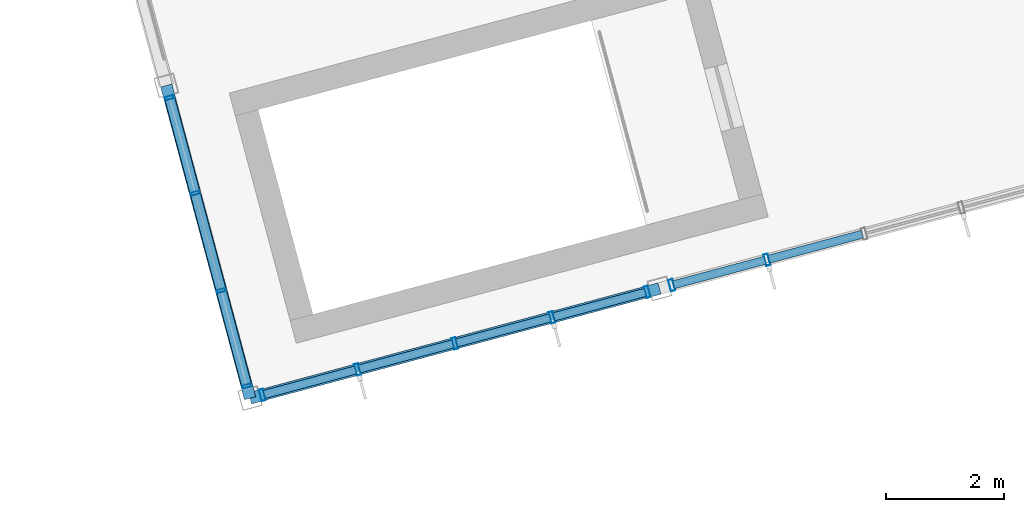
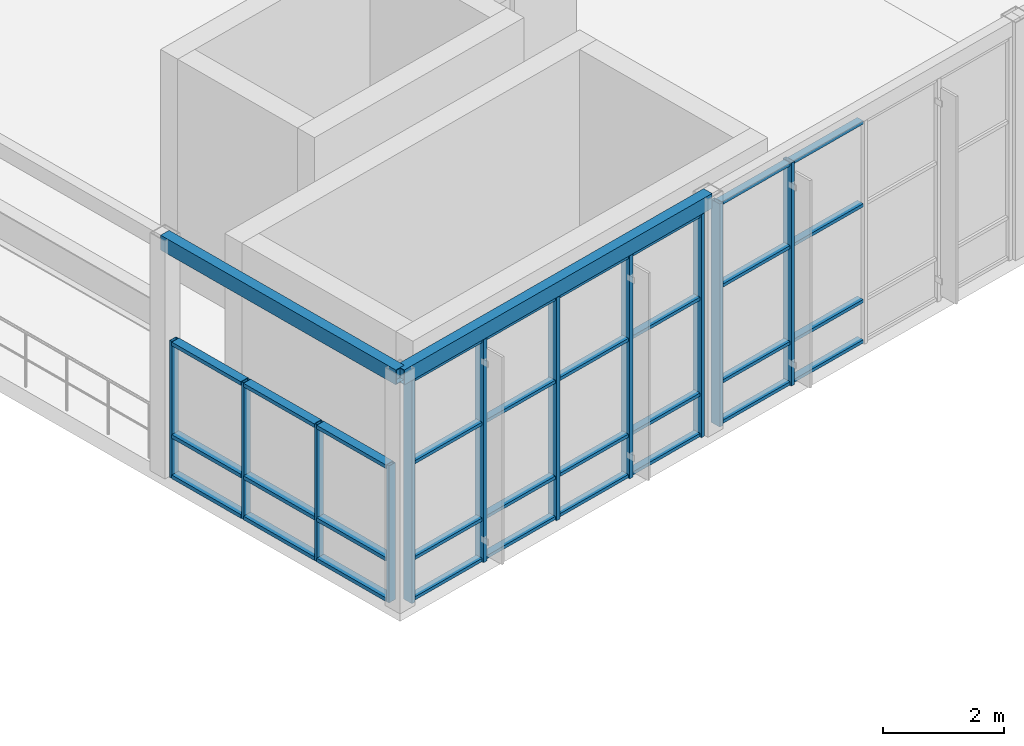
# One storey, part 18 of 99: 44 members, 2 beams, 3 elements without a shape of their own.
"""IFC4 building model written with IfcOpenShell, lengths in metres."""

from ifc_helpers import new_model, si_unit, direction, frame, origin, origin_2d, place, context, subcontext, project, spatial, hollow_rectangle, extrude, material, layer, layer_set, material_profile, profile_set, type_object, element, aggregate, save


model = new_model("IFC4")

# Units and contexts
model_context = context("Model", 3, precision=1e-05, world=origin(), true_north=direction((0.0, 1.0)))
body_context = subcontext(model_context, "Body", "Model", "MODEL_VIEW")
ifc_project = project(units=[si_unit("LENGTHUNIT", "METRE"), si_unit("AREAUNIT", "SQUARE_METRE"), si_unit("VOLUMEUNIT", "CUBIC_METRE"), si_unit("PLANEANGLEUNIT", "RADIAN"), si_unit("MASSUNIT", "GRAM", prefix="KILO")], contexts=[model_context])

# Site, building, storey
site_placement = place(None, origin())
site = spatial("IfcSite", under=ifc_project, at=site_placement, CompositionType="ELEMENT")
building_placement = place(site_placement, origin())
building = spatial("IfcBuilding", under=site, at=building_placement, Name="Ventoquebrada Cableway Terminal", CompositionType="ELEMENT")
storey_placement = place(building_placement, frame((0.0, 0.0, 9.60009765625)))
storey = spatial("IfcBuildingStorey", under=building, at=storey_placement, Name="L02", CompositionType="ELEMENT", Elevation=9.60009765625)

# Curtain wall, members
ifc_material_1 = material(Name="Anodized thermally-broken aluminium", Category="aluminium")
ifc_layer_1 = layer(ifc_material_1, 0.159912109375)
ifc_layer_set_1 = layer_set([ifc_layer_1], Name="Anodized thermally-broken aluminium")
curtain_wall_type_1 = type_object("IfcCurtainWallType", Name="CW-T40", PredefinedType="USERDEFINED", material=ifc_layer_set_1)
curtain_wall_1_placement = place(storey_placement, origin())
curtain_wall_1 = element("IfcCurtainWall", 1, at=curtain_wall_1_placement, inside=storey, type_object=curtain_wall_type_1, Name="Unitised glazed curtain wall CW-101", ObjectType="UNITISED CURTAIN WALL", PredefinedType="USERDEFINED")
ifc_material_profile_1 = material_profile(ifc_material_1, hollow_rectangle(XDim=0.074951171875, YDim=0.199951171875, WallThickness=0.00439453125, at=origin_2d()), Name="CW-MUL-75X200")
ifc_profile_set_1 = profile_set([ifc_material_profile_1], Name="Anodized thermally-broken aluminium")
member_type_1 = type_object("IfcMemberType", Name="CWM-02", PredefinedType="MULLION", material=ifc_profile_set_1)
member_1_placement = place(storey_placement, frame((52.18603515625, 69.840087890625, -0.008056640625), z_axis=(0.0, 0.0, 1.0), x_axis=(0.965939376699, 0.25876846899, 0.0)))
member_1 = element("IfcMember", 2, at=member_1_placement, type_object=member_type_1, Name="Curtain wall mullion FML-0490", PredefinedType="MULLION", context=body_context, shape_type="SweptSolid", body=[
    extrude(hollow_rectangle(XDim=0.074951171875, YDim=0.199951171875, WallThickness=0.00439453125, at=origin_2d()), origin(), (0.0, 0.0, 1.0), 4.5029296875),
])
member_2_placement = place(storey_placement, frame((53.803955078125, 70.27294921875, -0.008056640625), z_axis=(0.0, 0.0, 1.0), x_axis=(0.965939376699, 0.25876846899, 0.0)))
member_2 = element("IfcMember", 3, at=member_2_placement, type_object=member_type_1, Name="Curtain wall mullion FML-0491", PredefinedType="MULLION", context=body_context, shape_type="SweptSolid", body=[
    extrude(hollow_rectangle(XDim=0.074951171875, YDim=0.199951171875, WallThickness=0.00439453125, at=origin_2d()), origin(), (0.0, 0.0, 1.0), 4.5029296875),
])
member_3_placement = place(storey_placement, frame((55.4560546875, 70.716064453125, -0.008056640625), z_axis=(0.0, 0.0, 1.0), x_axis=(0.965939376699, 0.25876846899, 0.0)))
member_3 = element("IfcMember", 4, at=member_3_placement, type_object=member_type_1, Name="Curtain wall mullion FML-0492", PredefinedType="MULLION", context=body_context, shape_type="SweptSolid", body=[
    extrude(hollow_rectangle(XDim=0.074951171875, YDim=0.199951171875, WallThickness=0.00439453125, at=origin_2d()), origin(), (0.0, 0.0, 1.0), 4.5029296875),
])
member_4_placement = place(storey_placement, frame((57.10693359375, 71.158935546875, -0.008056640625), z_axis=(0.0, 0.0, 1.0), x_axis=(0.965939376699, 0.25876846899, 0.0)))
member_4 = element("IfcMember", 5, at=member_4_placement, type_object=member_type_1, Name="Curtain wall mullion FML-0493", PredefinedType="MULLION", context=body_context, shape_type="SweptSolid", body=[
    extrude(hollow_rectangle(XDim=0.074951171875, YDim=0.199951171875, WallThickness=0.00439453125, at=origin_2d()), origin(), (0.0, 0.0, 1.0), 4.5029296875),
])
member_5_placement = place(storey_placement, frame((58.72509765625, 71.592041015625, -0.008056640625), z_axis=(0.0, 0.0, 1.0), x_axis=(0.965939376699, 0.25876846899, 0.0)))
member_5 = element("IfcMember", 6, at=member_5_placement, type_object=member_type_1, Name="Curtain wall mullion FML-0494", PredefinedType="MULLION", context=body_context, shape_type="SweptSolid", body=[
    extrude(hollow_rectangle(XDim=0.074951171875, YDim=0.199951171875, WallThickness=0.00439453125, at=origin_2d()), origin(), (0.0, 0.0, 1.0), 4.5029296875),
])

curtain_wall_2_placement = place(storey_placement, origin())
curtain_wall_2 = element("IfcCurtainWall", 7, at=curtain_wall_2_placement, inside=storey, type_object=curtain_wall_type_1, Name="Unitised glazed curtain wall CW-102", ObjectType="UNITISED CURTAIN WALL", PredefinedType="USERDEFINED")
member_6_placement = place(storey_placement, frame((59.14111328125, 71.7041015625, -0.008056640625), z_axis=(0.0, 0.0, 1.0), x_axis=(0.965966469573, 0.258667314636, 0.0)))
member_6 = element("IfcMember", 8, at=member_6_placement, type_object=member_type_1, Name="Curtain wall mullion FML-0495", PredefinedType="MULLION", context=body_context, shape_type="SweptSolid", body=[
    extrude(hollow_rectangle(XDim=0.074951171875, YDim=0.199951171875, WallThickness=0.00439453125, at=origin_2d()), origin(), (0.0, 0.0, 1.0), 4.5029296875),
])
member_7_placement = place(storey_placement, frame((60.758056640625, 72.136962890625, -0.008056640625), z_axis=(0.0, 0.0, 1.0), x_axis=(0.965966469573, 0.258667314636, 0.0)))
member_7 = element("IfcMember", 9, at=member_7_placement, type_object=member_type_1, Name="Curtain wall mullion FML-0496", PredefinedType="MULLION", context=body_context, shape_type="SweptSolid", body=[
    extrude(hollow_rectangle(XDim=0.074951171875, YDim=0.199951171875, WallThickness=0.00439453125, at=origin_2d()), origin(), (0.0, 0.0, 1.0), 4.5029296875),
])

ifc_layer_2 = layer(ifc_material_1, 0.159912109375)
ifc_layer_set_2 = layer_set([ifc_layer_2], Name="Anodized thermally-broken aluminium")
curtain_wall_type_2 = type_object("IfcCurtainWallType", Name="CW-T41", PredefinedType="USERDEFINED", material=ifc_layer_set_2)
curtain_wall_3_placement = place(storey_placement, origin())
curtain_wall_3 = element("IfcCurtainWall", 10, at=curtain_wall_3_placement, inside=storey, type_object=curtain_wall_type_2, Name="Unitised glazed curtain wall CW-111", ObjectType="UNITISED CURTAIN WALL", PredefinedType="USERDEFINED")
ifc_material_profile_2 = material_profile(ifc_material_1, hollow_rectangle(XDim=0.06005859375, YDim=0.14990234375, WallThickness=0.00390625, at=origin_2d()), Name="CW-MUL-60X150")
ifc_profile_set_2 = profile_set([ifc_material_profile_2], Name="Anodized thermally-broken aluminium")
member_type_2 = type_object("IfcMemberType", Name="CWM-03", PredefinedType="MULLION", material=ifc_profile_set_2)
member_8_placement = place(storey_placement, frame((50.610107421875, 74.888916015625, -0.008056640625), z_axis=(0.0, 0.0, 1.0), x_axis=(0.258751610128, -0.965943892913, 0.0)))
member_8 = element("IfcMember", 11, at=member_8_placement, type_object=member_type_2, Name="Curtain wall mullion FML-0540", PredefinedType="MULLION", context=body_context, shape_type="SweptSolid", body=[
    extrude(hollow_rectangle(XDim=0.06005859375, YDim=0.14990234375, WallThickness=0.00390625, at=origin_2d()), origin(), (0.0, 0.0, 1.0), 2.764892578125),
])
member_9_placement = place(storey_placement, frame((51.0439453125, 73.26806640625, -0.008056640625), z_axis=(0.0, 0.0, 1.0), x_axis=(0.258751610128, -0.965943892913, 0.0)))
member_9 = element("IfcMember", 12, at=member_9_placement, type_object=member_type_2, Name="Curtain wall mullion FML-0541", PredefinedType="MULLION", context=body_context, shape_type="SweptSolid", body=[
    extrude(hollow_rectangle(XDim=0.06005859375, YDim=0.14990234375, WallThickness=0.00390625, at=origin_2d()), origin(), (0.0, 0.0, 1.0), 2.764892578125),
])
member_10_placement = place(storey_placement, frame((51.488037109375, 71.613037109375, -0.008056640625), z_axis=(0.0, 0.0, 1.0), x_axis=(0.258751610128, -0.965943892913, 0.0)))
member_10 = element("IfcMember", 13, at=member_10_placement, type_object=member_type_2, Name="Curtain wall mullion FML-0542", PredefinedType="MULLION", context=body_context, shape_type="SweptSolid", body=[
    extrude(hollow_rectangle(XDim=0.06005859375, YDim=0.14990234375, WallThickness=0.00390625, at=origin_2d()), origin(), (0.0, 0.0, 1.0), 2.764892578125),
])
member_11_placement = place(storey_placement, frame((51.922119140625, 69.991943359375, -0.008056640625), z_axis=(0.0, 0.0, 1.0), x_axis=(0.258751610128, -0.965943892913, 0.0)))
member_11 = element("IfcMember", 14, at=member_11_placement, type_object=member_type_2, Name="Curtain wall mullion FML-0543", PredefinedType="MULLION", context=body_context, shape_type="SweptSolid", body=[
    extrude(hollow_rectangle(XDim=0.06005859375, YDim=0.14990234375, WallThickness=0.00390625, at=origin_2d()), origin(), (0.0, 0.0, 1.0), 2.764892578125),
])

# Member
ifc_material_profile_3 = material_profile(ifc_material_1, hollow_rectangle(XDim=0.06494140625, YDim=0.139892578125, WallThickness=0.00390625, at=origin_2d()), Name="CW-TRN-65X140")
ifc_profile_set_3 = profile_set([ifc_material_profile_3], Name="Anodized thermally-broken aluminium")
member_type_3 = type_object("IfcMemberType", Name="CWT-01", PredefinedType="USERDEFINED", material=ifc_profile_set_3)
member_12_placement = place(storey_placement, frame((52.217041015625, 69.847900390625, 0.034912109375), z_axis=(0.965871529052, 0.259021600192, 0.0), x_axis=(0.0, 0.0, 1.0)))
member_12 = element("IfcMember", 15, at=member_12_placement, type_object=member_type_3, Name="Curtain wall transom FTR-1436", ObjectType="TRANSOM", PredefinedType="USERDEFINED", context=body_context, shape_type="SweptSolid", body=[
    extrude(hollow_rectangle(XDim=0.06494140625, YDim=0.139892578125, WallThickness=0.00390625, at=origin_2d()), origin(), (0.0, 0.0, 1.0), 1.60986328125),
])

member_13_placement = place(storey_placement, frame((52.217041015625, 69.847900390625, 0.849853515625), z_axis=(0.965871529052, 0.259021600192, 0.0), x_axis=(0.0, 0.0, 1.0)))
member_13 = element("IfcMember", 16, at=member_13_placement, type_object=member_type_3, Name="Curtain wall transom FTR-1437", ObjectType="TRANSOM", PredefinedType="USERDEFINED", context=body_context, shape_type="SweptSolid", body=[
    extrude(hollow_rectangle(XDim=0.06494140625, YDim=0.139892578125, WallThickness=0.00390625, at=origin_2d()), origin(), (0.0, 0.0, 1.0), 1.60986328125),
])

member_14_placement = place(storey_placement, frame((52.217041015625, 69.847900390625, 2.783935546875), z_axis=(0.965871529052, 0.259021600192, 0.0), x_axis=(0.0, 0.0, 1.0)))
member_14 = element("IfcMember", 17, at=member_14_placement, type_object=member_type_3, Name="Curtain wall transom FTR-1438", ObjectType="TRANSOM", PredefinedType="USERDEFINED", context=body_context, shape_type="SweptSolid", body=[
    extrude(hollow_rectangle(XDim=0.06494140625, YDim=0.139892578125, WallThickness=0.00390625, at=origin_2d()), origin(), (0.0, 0.0, 1.0), 1.60986328125),
])

member_15_placement = place(storey_placement, frame((52.217041015625, 69.847900390625, 4.454833984375), z_axis=(0.965871529052, 0.259021600192, 0.0), x_axis=(0.0, 0.0, 1.0)))
member_15 = element("IfcMember", 18, at=member_15_placement, type_object=member_type_3, Name="Curtain wall transom FTR-1439", ObjectType="TRANSOM", PredefinedType="USERDEFINED", context=body_context, shape_type="SweptSolid", body=[
    extrude(hollow_rectangle(XDim=0.06494140625, YDim=0.139892578125, WallThickness=0.00390625, at=origin_2d()), origin(), (0.0, 0.0, 1.0), 1.60986328125),
])

member_16_placement = place(storey_placement, frame((53.8349609375, 70.281982421875, 0.034912109375), z_axis=(0.965891735452, 0.258946240339, 0.0), x_axis=(0.0, 0.0, 1.0)))
member_16 = element("IfcMember", 19, at=member_16_placement, type_object=member_type_3, Name="Curtain wall transom FTR-1440", ObjectType="TRANSOM", PredefinedType="USERDEFINED", context=body_context, shape_type="SweptSolid", body=[
    extrude(hollow_rectangle(XDim=0.06494140625, YDim=0.139892578125, WallThickness=0.00390625, at=origin_2d()), origin(), (0.0, 0.0, 1.0), 1.645263671875),
])

member_17_placement = place(storey_placement, frame((53.8349609375, 70.281982421875, 0.849853515625), z_axis=(0.965891735452, 0.258946240339, 0.0), x_axis=(0.0, 0.0, 1.0)))
member_17 = element("IfcMember", 20, at=member_17_placement, type_object=member_type_3, Name="Curtain wall transom FTR-1441", ObjectType="TRANSOM", PredefinedType="USERDEFINED", context=body_context, shape_type="SweptSolid", body=[
    extrude(hollow_rectangle(XDim=0.06494140625, YDim=0.139892578125, WallThickness=0.00390625, at=origin_2d()), origin(), (0.0, 0.0, 1.0), 1.645263671875),
])

member_18_placement = place(storey_placement, frame((53.8349609375, 70.281982421875, 2.783935546875), z_axis=(0.965891735452, 0.258946240339, 0.0), x_axis=(0.0, 0.0, 1.0)))
member_18 = element("IfcMember", 21, at=member_18_placement, type_object=member_type_3, Name="Curtain wall transom FTR-1442", ObjectType="TRANSOM", PredefinedType="USERDEFINED", context=body_context, shape_type="SweptSolid", body=[
    extrude(hollow_rectangle(XDim=0.06494140625, YDim=0.139892578125, WallThickness=0.00390625, at=origin_2d()), origin(), (0.0, 0.0, 1.0), 1.645263671875),
])

member_19_placement = place(storey_placement, frame((53.8349609375, 70.281982421875, 4.454833984375), z_axis=(0.965891735452, 0.258946240339, 0.0), x_axis=(0.0, 0.0, 1.0)))
member_19 = element("IfcMember", 22, at=member_19_placement, type_object=member_type_3, Name="Curtain wall transom FTR-1443", ObjectType="TRANSOM", PredefinedType="USERDEFINED", context=body_context, shape_type="SweptSolid", body=[
    extrude(hollow_rectangle(XDim=0.06494140625, YDim=0.139892578125, WallThickness=0.00390625, at=origin_2d()), origin(), (0.0, 0.0, 1.0), 1.645263671875),
])

member_20_placement = place(storey_placement, frame((55.487060546875, 70.72412109375, 0.034912109375), z_axis=(0.965918900074, 0.258844892706, 0.0), x_axis=(0.0, 0.0, 1.0)))
member_20 = element("IfcMember", 23, at=member_20_placement, type_object=member_type_3, Name="Curtain wall transom FTR-1444", ObjectType="TRANSOM", PredefinedType="USERDEFINED", context=body_context, shape_type="SweptSolid", body=[
    extrude(hollow_rectangle(XDim=0.06494140625, YDim=0.139892578125, WallThickness=0.00390625, at=origin_2d()), origin(), (0.0, 0.0, 1.0), 1.64501953125),
])

member_21_placement = place(storey_placement, frame((55.487060546875, 70.72412109375, 0.849853515625), z_axis=(0.965918900074, 0.258844892706, 0.0), x_axis=(0.0, 0.0, 1.0)))
member_21 = element("IfcMember", 24, at=member_21_placement, type_object=member_type_3, Name="Curtain wall transom FTR-1445", ObjectType="TRANSOM", PredefinedType="USERDEFINED", context=body_context, shape_type="SweptSolid", body=[
    extrude(hollow_rectangle(XDim=0.06494140625, YDim=0.139892578125, WallThickness=0.00390625, at=origin_2d()), origin(), (0.0, 0.0, 1.0), 1.64501953125),
])

member_22_placement = place(storey_placement, frame((55.487060546875, 70.72412109375, 2.783935546875), z_axis=(0.965918900074, 0.258844892706, 0.0), x_axis=(0.0, 0.0, 1.0)))
member_22 = element("IfcMember", 25, at=member_22_placement, type_object=member_type_3, Name="Curtain wall transom FTR-1446", ObjectType="TRANSOM", PredefinedType="USERDEFINED", context=body_context, shape_type="SweptSolid", body=[
    extrude(hollow_rectangle(XDim=0.06494140625, YDim=0.139892578125, WallThickness=0.00390625, at=origin_2d()), origin(), (0.0, 0.0, 1.0), 1.64501953125),
])

member_23_placement = place(storey_placement, frame((55.487060546875, 70.72412109375, 4.454833984375), z_axis=(0.965918900074, 0.258844892706, 0.0), x_axis=(0.0, 0.0, 1.0)))
member_23 = element("IfcMember", 26, at=member_23_placement, type_object=member_type_3, Name="Curtain wall transom FTR-1447", ObjectType="TRANSOM", PredefinedType="USERDEFINED", context=body_context, shape_type="SweptSolid", body=[
    extrude(hollow_rectangle(XDim=0.06494140625, YDim=0.139892578125, WallThickness=0.00390625, at=origin_2d()), origin(), (0.0, 0.0, 1.0), 1.64501953125),
])

member_24_placement = place(storey_placement, frame((57.138916015625, 71.1669921875, 0.034912109375), z_axis=(0.965881701481, 0.258983665013, 0.0), x_axis=(0.0, 0.0, 1.0)))
member_24 = element("IfcMember", 27, at=member_24_placement, type_object=member_type_3, Name="Curtain wall transom FTR-1448", ObjectType="TRANSOM", PredefinedType="USERDEFINED", context=body_context, shape_type="SweptSolid", body=[
    extrude(hollow_rectangle(XDim=0.06494140625, YDim=0.139892578125, WallThickness=0.00390625, at=origin_2d()), origin(), (0.0, 0.0, 1.0), 1.610107421875),
])

member_25_placement = place(storey_placement, frame((57.138916015625, 71.1669921875, 0.849853515625), z_axis=(0.965881701481, 0.258983665013, 0.0), x_axis=(0.0, 0.0, 1.0)))
member_25 = element("IfcMember", 28, at=member_25_placement, type_object=member_type_3, Name="Curtain wall transom FTR-1449", ObjectType="TRANSOM", PredefinedType="USERDEFINED", context=body_context, shape_type="SweptSolid", body=[
    extrude(hollow_rectangle(XDim=0.06494140625, YDim=0.139892578125, WallThickness=0.00390625, at=origin_2d()), origin(), (0.0, 0.0, 1.0), 1.610107421875),
])

member_26_placement = place(storey_placement, frame((57.138916015625, 71.1669921875, 2.783935546875), z_axis=(0.965881701481, 0.258983665013, 0.0), x_axis=(0.0, 0.0, 1.0)))
member_26 = element("IfcMember", 29, at=member_26_placement, type_object=member_type_3, Name="Curtain wall transom FTR-1450", ObjectType="TRANSOM", PredefinedType="USERDEFINED", context=body_context, shape_type="SweptSolid", body=[
    extrude(hollow_rectangle(XDim=0.06494140625, YDim=0.139892578125, WallThickness=0.00390625, at=origin_2d()), origin(), (0.0, 0.0, 1.0), 1.610107421875),
])

member_27_placement = place(storey_placement, frame((57.138916015625, 71.1669921875, 4.454833984375), z_axis=(0.965881701481, 0.258983665013, 0.0), x_axis=(0.0, 0.0, 1.0)))
member_27 = element("IfcMember", 30, at=member_27_placement, type_object=member_type_3, Name="Curtain wall transom FTR-1451", ObjectType="TRANSOM", PredefinedType="USERDEFINED", context=body_context, shape_type="SweptSolid", body=[
    extrude(hollow_rectangle(XDim=0.06494140625, YDim=0.139892578125, WallThickness=0.00390625, at=origin_2d()), origin(), (0.0, 0.0, 1.0), 1.610107421875),
])

aggregate(curtain_wall_1, [member_1, member_2, member_3, member_4, member_5, member_12, member_13, member_14, member_15, member_16, member_17, member_18, member_19, member_20, member_21, member_22, member_23, member_24, member_25, member_26, member_27])

member_28_placement = place(storey_placement, frame((59.172119140625, 71.7119140625, 0.034912109375), z_axis=(0.965871529052, 0.259021600192, 0.0), x_axis=(0.0, 0.0, 1.0)))
member_28 = element("IfcMember", 31, at=member_28_placement, type_object=member_type_3, Name="Curtain wall transom FTR-1452", ObjectType="TRANSOM", PredefinedType="USERDEFINED", context=body_context, shape_type="SweptSolid", body=[
    extrude(hollow_rectangle(XDim=0.06494140625, YDim=0.139892578125, WallThickness=0.00390625, at=origin_2d()), origin(), (0.0, 0.0, 1.0), 1.60986328125),
])

member_29_placement = place(storey_placement, frame((59.172119140625, 71.7119140625, 0.849853515625), z_axis=(0.965871529052, 0.259021600192, 0.0), x_axis=(0.0, 0.0, 1.0)))
member_29 = element("IfcMember", 32, at=member_29_placement, type_object=member_type_3, Name="Curtain wall transom FTR-1453", ObjectType="TRANSOM", PredefinedType="USERDEFINED", context=body_context, shape_type="SweptSolid", body=[
    extrude(hollow_rectangle(XDim=0.06494140625, YDim=0.139892578125, WallThickness=0.00390625, at=origin_2d()), origin(), (0.0, 0.0, 1.0), 1.60986328125),
])

member_30_placement = place(storey_placement, frame((59.172119140625, 71.7119140625, 2.783935546875), z_axis=(0.965871529052, 0.259021600192, 0.0), x_axis=(0.0, 0.0, 1.0)))
member_30 = element("IfcMember", 33, at=member_30_placement, type_object=member_type_3, Name="Curtain wall transom FTR-1454", ObjectType="TRANSOM", PredefinedType="USERDEFINED", context=body_context, shape_type="SweptSolid", body=[
    extrude(hollow_rectangle(XDim=0.06494140625, YDim=0.139892578125, WallThickness=0.00390625, at=origin_2d()), origin(), (0.0, 0.0, 1.0), 1.60986328125),
])

member_31_placement = place(storey_placement, frame((59.172119140625, 71.7119140625, 4.454833984375), z_axis=(0.965871529052, 0.259021600192, 0.0), x_axis=(0.0, 0.0, 1.0)))
member_31 = element("IfcMember", 34, at=member_31_placement, type_object=member_type_3, Name="Curtain wall transom FTR-1455", ObjectType="TRANSOM", PredefinedType="USERDEFINED", context=body_context, shape_type="SweptSolid", body=[
    extrude(hollow_rectangle(XDim=0.06494140625, YDim=0.139892578125, WallThickness=0.00390625, at=origin_2d()), origin(), (0.0, 0.0, 1.0), 1.60986328125),
])

member_32_placement = place(storey_placement, frame((60.7900390625, 72.14599609375, 0.034912109375), z_axis=(0.966030149036, 0.258429392974, 0.0), x_axis=(0.0, 0.0, 1.0)))
member_32 = element("IfcMember", 35, at=member_32_placement, type_object=member_type_3, Name="Curtain wall transom FTR-1456", ObjectType="TRANSOM", PredefinedType="USERDEFINED", context=body_context, shape_type="SweptSolid", body=[
    extrude(hollow_rectangle(XDim=0.06494140625, YDim=0.139892578125, WallThickness=0.00390625, at=origin_2d()), origin(), (0.0, 0.0, 1.0), 1.644775390625),
])

member_33_placement = place(storey_placement, frame((60.7900390625, 72.14599609375, 0.849853515625), z_axis=(0.966030149036, 0.258429392974, 0.0), x_axis=(0.0, 0.0, 1.0)))
member_33 = element("IfcMember", 36, at=member_33_placement, type_object=member_type_3, Name="Curtain wall transom FTR-1457", ObjectType="TRANSOM", PredefinedType="USERDEFINED", context=body_context, shape_type="SweptSolid", body=[
    extrude(hollow_rectangle(XDim=0.06494140625, YDim=0.139892578125, WallThickness=0.00390625, at=origin_2d()), origin(), (0.0, 0.0, 1.0), 1.644775390625),
])

member_34_placement = place(storey_placement, frame((60.7900390625, 72.14599609375, 2.783935546875), z_axis=(0.966030149036, 0.258429392974, 0.0), x_axis=(0.0, 0.0, 1.0)))
member_34 = element("IfcMember", 37, at=member_34_placement, type_object=member_type_3, Name="Curtain wall transom FTR-1458", ObjectType="TRANSOM", PredefinedType="USERDEFINED", context=body_context, shape_type="SweptSolid", body=[
    extrude(hollow_rectangle(XDim=0.06494140625, YDim=0.139892578125, WallThickness=0.00390625, at=origin_2d()), origin(), (0.0, 0.0, 1.0), 1.644775390625),
])

member_35_placement = place(storey_placement, frame((60.7900390625, 72.14599609375, 4.454833984375), z_axis=(0.966030149036, 0.258429392974, 0.0), x_axis=(0.0, 0.0, 1.0)))
member_35 = element("IfcMember", 38, at=member_35_placement, type_object=member_type_3, Name="Curtain wall transom FTR-1459", ObjectType="TRANSOM", PredefinedType="USERDEFINED", context=body_context, shape_type="SweptSolid", body=[
    extrude(hollow_rectangle(XDim=0.06494140625, YDim=0.139892578125, WallThickness=0.00390625, at=origin_2d()), origin(), (0.0, 0.0, 1.0), 1.644775390625),
])

aggregate(curtain_wall_2, [member_6, member_7, member_28, member_29, member_30, member_31, member_32, member_33, member_34, member_35])

ifc_material_profile_4 = material_profile(ifc_material_1, hollow_rectangle(XDim=0.074951171875, YDim=0.169921875, WallThickness=0.00439453125, at=origin_2d()), Name="CW-TRN-75X170")
ifc_profile_set_4 = profile_set([ifc_material_profile_4], Name="Anodized thermally-broken aluminium")
member_type_4 = type_object("IfcMemberType", Name="CWT-03", PredefinedType="USERDEFINED", material=ifc_profile_set_4)
member_36_placement = place(storey_placement, frame((50.616943359375, 74.864990234375, 0.034912109375), z_axis=(0.258623671853, -0.965978155217, 0.0), x_axis=(0.0, 0.0, 1.0)))
member_36 = element("IfcMember", 39, at=member_36_placement, type_object=member_type_4, Name="Curtain wall transom FTR-1596", ObjectType="TRANSOM", PredefinedType="USERDEFINED", context=body_context, shape_type="SweptSolid", body=[
    extrude(hollow_rectangle(XDim=0.074951171875, YDim=0.169921875, WallThickness=0.00439453125, at=origin_2d()), origin(), (0.0, 0.0, 1.0), 1.62841796875),
])

member_37_placement = place(storey_placement, frame((50.616943359375, 74.864990234375, 0.849853515625), z_axis=(0.258623671853, -0.965978155217, 0.0), x_axis=(0.0, 0.0, 1.0)))
member_37 = element("IfcMember", 40, at=member_37_placement, type_object=member_type_4, Name="Curtain wall transom FTR-1597", ObjectType="TRANSOM", PredefinedType="USERDEFINED", context=body_context, shape_type="SweptSolid", body=[
    extrude(hollow_rectangle(XDim=0.074951171875, YDim=0.169921875, WallThickness=0.00439453125, at=origin_2d()), origin(), (0.0, 0.0, 1.0), 1.62841796875),
])

member_38_placement = place(storey_placement, frame((50.616943359375, 74.864990234375, 2.716796875), z_axis=(0.258623671853, -0.965978155217, 0.0), x_axis=(0.0, 0.0, 1.0)))
member_38 = element("IfcMember", 41, at=member_38_placement, type_object=member_type_4, Name="Curtain wall transom FTR-1598", ObjectType="TRANSOM", PredefinedType="USERDEFINED", context=body_context, shape_type="SweptSolid", body=[
    extrude(hollow_rectangle(XDim=0.074951171875, YDim=0.169921875, WallThickness=0.00439453125, at=origin_2d()), origin(), (0.0, 0.0, 1.0), 1.62841796875),
])

member_39_placement = place(storey_placement, frame((51.051025390625, 73.243896484375, 0.034912109375), z_axis=(0.258457299457, -0.966022683149, 0.0), x_axis=(0.0, 0.0, 1.0)))
member_39 = element("IfcMember", 42, at=member_39_placement, type_object=member_type_4, Name="Curtain wall transom FTR-1599", ObjectType="TRANSOM", PredefinedType="USERDEFINED", context=body_context, shape_type="SweptSolid", body=[
    extrude(hollow_rectangle(XDim=0.074951171875, YDim=0.169921875, WallThickness=0.00439453125, at=origin_2d()), origin(), (0.0, 0.0, 1.0), 1.66357421875),
])

member_40_placement = place(storey_placement, frame((51.051025390625, 73.243896484375, 0.849853515625), z_axis=(0.258457299457, -0.966022683149, 0.0), x_axis=(0.0, 0.0, 1.0)))
member_40 = element("IfcMember", 43, at=member_40_placement, type_object=member_type_4, Name="Curtain wall transom FTR-1600", ObjectType="TRANSOM", PredefinedType="USERDEFINED", context=body_context, shape_type="SweptSolid", body=[
    extrude(hollow_rectangle(XDim=0.074951171875, YDim=0.169921875, WallThickness=0.00439453125, at=origin_2d()), origin(), (0.0, 0.0, 1.0), 1.66357421875),
])

member_41_placement = place(storey_placement, frame((51.051025390625, 73.243896484375, 2.716796875), z_axis=(0.258457299457, -0.966022683149, 0.0), x_axis=(0.0, 0.0, 1.0)))
member_41 = element("IfcMember", 44, at=member_41_placement, type_object=member_type_4, Name="Curtain wall transom FTR-1601", ObjectType="TRANSOM", PredefinedType="USERDEFINED", context=body_context, shape_type="SweptSolid", body=[
    extrude(hollow_rectangle(XDim=0.074951171875, YDim=0.169921875, WallThickness=0.00439453125, at=origin_2d()), origin(), (0.0, 0.0, 1.0), 1.66357421875),
])

member_42_placement = place(storey_placement, frame((51.493896484375, 71.589111328125, 0.034912109375), z_axis=(0.258623671853, -0.965978155217, 0.0), x_axis=(0.0, 0.0, 1.0)))
member_42 = element("IfcMember", 45, at=member_42_placement, type_object=member_type_4, Name="Curtain wall transom FTR-1602", ObjectType="TRANSOM", PredefinedType="USERDEFINED", context=body_context, shape_type="SweptSolid", body=[
    extrude(hollow_rectangle(XDim=0.074951171875, YDim=0.169921875, WallThickness=0.00439453125, at=origin_2d()), origin(), (0.0, 0.0, 1.0), 1.62841796875),
])

member_43_placement = place(storey_placement, frame((51.493896484375, 71.589111328125, 0.849853515625), z_axis=(0.258623671853, -0.965978155217, 0.0), x_axis=(0.0, 0.0, 1.0)))
member_43 = element("IfcMember", 46, at=member_43_placement, type_object=member_type_4, Name="Curtain wall transom FTR-1603", ObjectType="TRANSOM", PredefinedType="USERDEFINED", context=body_context, shape_type="SweptSolid", body=[
    extrude(hollow_rectangle(XDim=0.074951171875, YDim=0.169921875, WallThickness=0.00439453125, at=origin_2d()), origin(), (0.0, 0.0, 1.0), 1.62841796875),
])

member_44_placement = place(storey_placement, frame((51.493896484375, 71.589111328125, 2.716796875), z_axis=(0.258623671853, -0.965978155217, 0.0), x_axis=(0.0, 0.0, 1.0)))
member_44 = element("IfcMember", 47, at=member_44_placement, type_object=member_type_4, Name="Curtain wall transom FTR-1604", ObjectType="TRANSOM", PredefinedType="USERDEFINED", context=body_context, shape_type="SweptSolid", body=[
    extrude(hollow_rectangle(XDim=0.074951171875, YDim=0.169921875, WallThickness=0.00439453125, at=origin_2d()), origin(), (0.0, 0.0, 1.0), 1.62841796875),
])

aggregate(curtain_wall_3, [member_8, member_9, member_10, member_11, member_36, member_37, member_38, member_39, member_40, member_41, member_42, member_43, member_44])

# Beams
ifc_material_2 = material(Name="Steel ASTM A500 Grade C", Category="steel")
ifc_material_profile_5 = material_profile(ifc_material_2, hollow_rectangle(XDim=0.199951171875, YDim=0.300048828125, WallThickness=0.012451171875, at=origin_2d()), Name="RHS300X200X12.5")
ifc_profile_set_5 = profile_set([ifc_material_profile_5], Name="Steel ASTM A500 Grade C")
beam_type = type_object("IfcBeamType", Name="SP-ST02", PredefinedType="SPANDREL", material=ifc_profile_set_5)
beam_1_placement = place(storey_placement, frame((51.97802734375, 69.783935546875, 4.64990234375), z_axis=(-0.258897298886, 0.965904854853, 0.0), x_axis=(-0.965904854853, -0.258897298886, 0.0)))
element("IfcBeam", 48, at=beam_1_placement, inside=storey, type_object=beam_type, Name="Boarding hall perimeter tie beam FBM-1081", PredefinedType="SPANDREL", context=body_context, shape_type="SweptSolid", body=[
    extrude(hollow_rectangle(XDim=0.199951171875, YDim=0.300048828125, WallThickness=0.012451171875, at=origin_2d()), origin(), (0.0, 0.0, 1.0), 5.50048828125),
])
beam_2_placement = place(storey_placement, frame((51.97802734375, 69.783935546875, 4.64990234375), z_axis=(0.96591172503, 0.258871665986, 0.0), x_axis=(-0.258871665986, 0.96591172503, 0.0)))
element("IfcBeam", 49, at=beam_2_placement, inside=storey, type_object=beam_type, Name="Boarding hall perimeter tie beam FBM-1089", PredefinedType="SPANDREL", context=body_context, shape_type="SweptSolid", body=[
    extrude(hollow_rectangle(XDim=0.199951171875, YDim=0.300048828125, WallThickness=0.012451171875, at=origin_2d()), origin(), (0.0, 0.0, 1.0), 7.200439453125),
])

save(model, "model.ifc")
